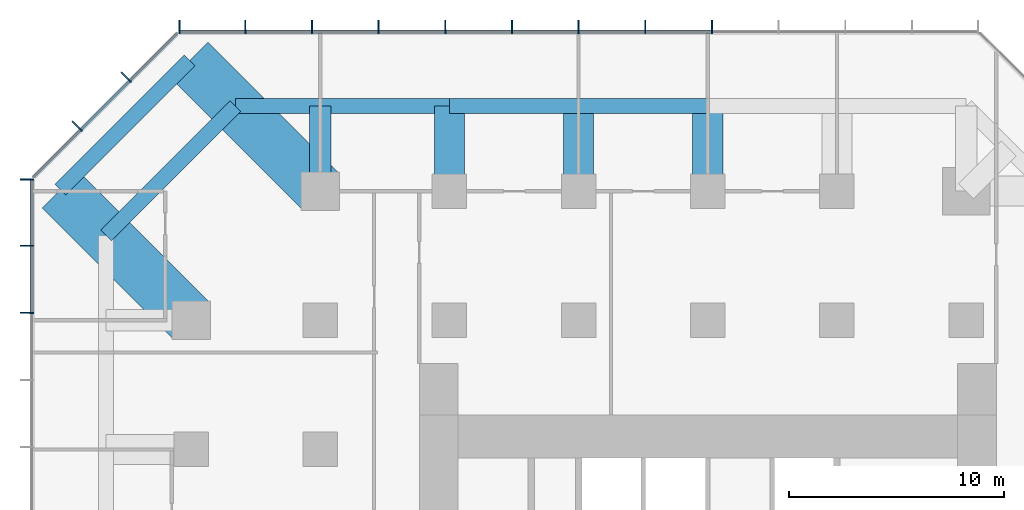
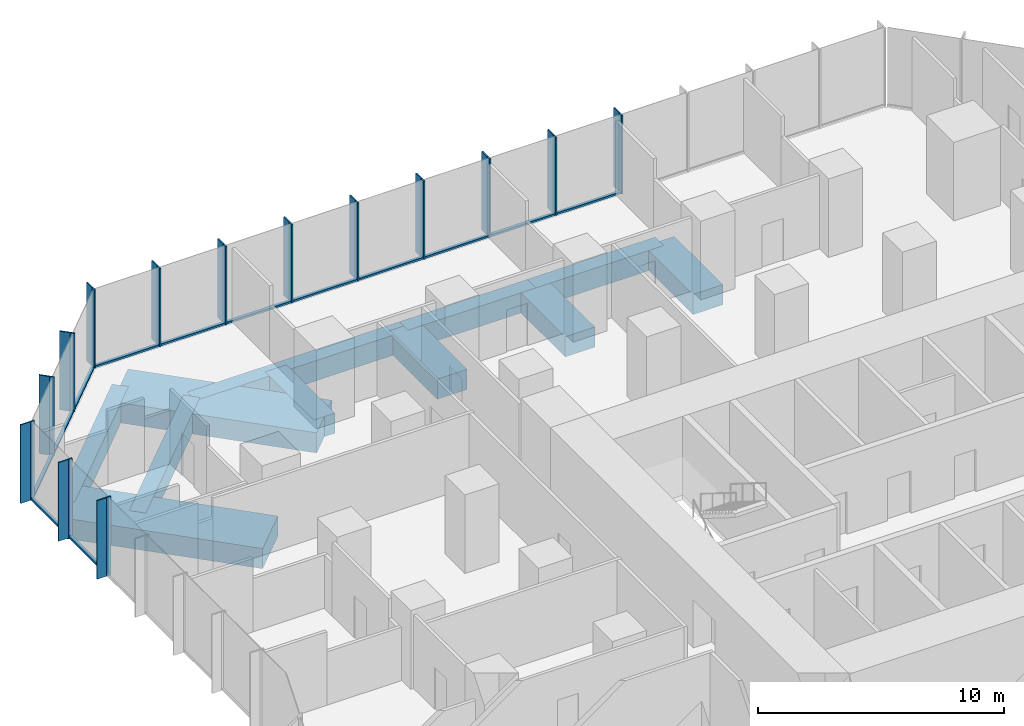
# One storey, part 5 of 11: 41 members, 11 beams, 3 elements without a shape of their own.
"""IFC4 building model written with IfcOpenShell, lengths in metres."""

import ifcopenshell
import ifcopenshell.guid

model = None  # the IFC model being written
_history = None  # IfcOwnerHistory: only IFC2X3 demands one
_inside = {}  # id of a spatial element -> (the spatial element, [elements in it])
_under = {}  # id of a project, library or spatial element -> (it, [spatial elements below it])
_declared = {}  # id of a project -> (the project, [libraries it declares])
_typed = {}  # id of a type object -> (the type object, [elements of that type])
_made_of = {}  # id of a material, layer set ... -> (it, [elements and type objects made of it])


def new_model(schema):
    """Start an empty IFC model of exactly this schema.

    Asked for "IFC4X3", IfcOpenShell would pick the latest addendum, in which some entities
    have other attributes; the version numbers below select the first issue.
    IFC2X3 requires an IfcOwnerHistory on every rooted entity: one is made here for all.
    """
    global model, _history
    if schema == "IFC4X3":
        model = ifcopenshell.file(schema_version=(4, 3, 0, 0))
    else:
        model = ifcopenshell.file(schema=schema)
    _inside.clear()
    _under.clear()
    _declared.clear()
    _typed.clear()
    _made_of.clear()
    _history = None
    if model.schema == "IFC2X3":
        org = make("IfcOrganization", Name="unknown")
        user = make(
            "IfcPersonAndOrganization",
            ThePerson=make("IfcPerson", FamilyName="unknown"),
            TheOrganization=org,
        )
        app = make(
            "IfcApplication",
            ApplicationDeveloper=org,
            Version="unknown",
            ApplicationFullName="unknown",
            ApplicationIdentifier="unknown",
        )
        _history = make(
            "IfcOwnerHistory",
            OwningUser=user,
            OwningApplication=app,
            ChangeAction="ADDED",
            CreationDate=0,
        )
    return model


def make(cls, **values):
    """One entity of the class cls with the attributes given. An attribute that is None is left unset."""
    return model.create_entity(
        cls, **{name: value for name, value in values.items() if value is not None}
    )


def rooted(cls, **values):
    """An entity with a GlobalId (a new one), such as an element, a storey or a relation."""
    return make(cls, GlobalId=ifcopenshell.guid.new(), OwnerHistory=_history, **values)


def si_unit(unit_type, name, prefix=None):
    """IfcSIUnit, for example si_unit("LENGTHUNIT", "METRE", prefix="MILLI")."""
    return make("IfcSIUnit", UnitType=unit_type, Prefix=prefix, Name=name)


def assignment(units):
    """IfcUnitAssignment: the units of a project."""
    return None if units is None else make("IfcUnitAssignment", Units=units)


def point(xyz):
    """IfcCartesianPoint."""
    return None if xyz is None else make("IfcCartesianPoint", Coordinates=xyz)


def direction(xyz):
    """IfcDirection."""
    return None if xyz is None else make("IfcDirection", DirectionRatios=xyz)


def frame(location, z_axis=None, x_axis=None):
    """IfcAxis2Placement3D, a coordinate frame: its origin and axes. An axis left out is left unset."""
    return make(
        "IfcAxis2Placement3D",
        Location=point(location),
        Axis=direction(z_axis),
        RefDirection=direction(x_axis),
    )


def frame_2d(location, x_axis=None):
    """IfcAxis2Placement2D, a coordinate frame in the plane: its origin and x axis."""
    return make(
        "IfcAxis2Placement2D", Location=point(location), RefDirection=direction(x_axis)
    )


def origin():
    """The frame at (0, 0, 0) with its axes left unset."""
    return frame((0.0, 0.0, 0.0))


def origin_2d():
    """The frame at (0, 0) in the plane with its x axis left unset."""
    return frame_2d((0.0, 0.0))


def place(relative_to, where):
    """IfcLocalPlacement: puts the frame where relative to a parent placement (None: the world)."""
    return make(
        "IfcLocalPlacement", PlacementRelTo=relative_to, RelativePlacement=where
    )


def context(
    kind, dimensions, precision=None, world=None, true_north=None, identifier=None
):
    """IfcGeometricRepresentationContext, for example the 3D "Model" context."""
    return make(
        "IfcGeometricRepresentationContext",
        ContextIdentifier=identifier,
        ContextType=kind,
        CoordinateSpaceDimension=dimensions,
        Precision=precision,
        WorldCoordinateSystem=world,
        TrueNorth=true_north,
    )


def subcontext(parent, identifier, kind, view, scale=None):
    """IfcGeometricRepresentationSubContext, for example "Body" below "Model"."""
    return make(
        "IfcGeometricRepresentationSubContext",
        ContextIdentifier=identifier,
        ContextType=kind,
        ParentContext=parent,
        TargetScale=scale,
        TargetView=view,
    )


def project(units=None, contexts=None):
    """IfcProject with its units and contexts."""
    return rooted(
        "IfcProject",
        Name="project",
        RepresentationContexts=contexts,
        UnitsInContext=assignment(units),
    )


def spatial(cls, under=None, at=None, **own):
    """A site, building, storey or space (cls), placed at a placement, below another one or the project."""
    s = rooted(cls, ObjectPlacement=at, **own)
    if under is not None:
        _under.setdefault(under.id(), (under, []))[1].append(s)
    return s


def profile(cls, at=None, kind="AREA", **sizes):
    """A parametric profile (cls). Its sizes go by their IFC names, for example OverallWidth=200.0."""
    return make(cls, ProfileType=kind, Position=at, **sizes)


def rectangle(**sizes):
    """IfcRectangleProfileDef."""
    return profile("IfcRectangleProfileDef", **sizes)


def extrude(swept, where, along, depth):
    """IfcExtrudedAreaSolid: the profile swept, set in the frame where, extruded along a direction by depth."""
    return make(
        "IfcExtrudedAreaSolid",
        SweptArea=swept,
        Position=where,
        ExtrudedDirection=direction(along),
        Depth=depth,
    )


def shape(context_of_items, identifier, shape_type, items):
    """IfcShapeRepresentation: the items that make up one representation, for example the "Body"."""
    return make(
        "IfcShapeRepresentation",
        ContextOfItems=context_of_items,
        RepresentationIdentifier=identifier,
        RepresentationType=shape_type,
        Items=items,
    )


def material(Name=None, Category=None):
    """IfcMaterial."""
    return make("IfcMaterial", Name=Name, Category=Category)


def layer(
    of_material, thickness, ventilated=None, Name=None, Category=None, Priority=None
):
    """IfcMaterialLayer: one layer of a wall or slab, of a material (None: an air gap)."""
    return make(
        "IfcMaterialLayer",
        Material=of_material,
        LayerThickness=thickness,
        IsVentilated=ventilated,
        Name=Name,
        Category=Category,
        Priority=Priority,
    )


def layer_set(layers, Name=None):
    """IfcMaterialLayerSet."""
    return make("IfcMaterialLayerSet", MaterialLayers=layers, LayerSetName=Name)


def material_profile(
    of_material, cross_section, Name=None, Category=None, Priority=None
):
    """IfcMaterialProfile: a cross section and its material."""
    return make(
        "IfcMaterialProfile",
        Name=Name,
        Material=of_material,
        Profile=cross_section,
        Priority=Priority,
        Category=Category,
    )


def profile_set(profiles, Name=None, composite=None):
    """IfcMaterialProfileSet."""
    return make(
        "IfcMaterialProfileSet",
        Name=Name,
        MaterialProfiles=profiles,
        CompositeProfile=composite,
    )


def made_of(thing, what):
    """Note that an element or type object is made of a material, layer set ...; save() writes the relation."""
    if what is not None:
        _made_of.setdefault(what.id(), (what, []))[1].append(thing)
    return thing


def type_object(cls, material=None, **own):
    """A type object (cls), such as IfcWallType, which elements share."""
    return made_of(rooted(cls, **own), material)


def element(
    cls,
    number,
    at=None,
    inside=None,
    cuts=None,
    type_object=None,
    material=None,
    context=None,
    identifier="Body",
    shape_type=None,
    held_by="IfcProductDefinitionShape",
    body=None,
    shapes=None,
    **own,
):
    """One element of the class cls, such as IfcWall. Its Tag is "e" and its number.

    at: its placement. inside: the storey or other place that contains it. cuts: it is an
    opening in that element (IfcRelVoidsElement). A single representation is given by context,
    identifier, shape_type and body (its items); several are given by shapes. held_by: the class
    of the entity that holds the representations. save() writes the other relations.
    """
    e = rooted(cls, Tag="e%d" % number, ObjectPlacement=at, **own)
    if body is not None:
        shapes = [shape(context, identifier, shape_type, body)]
    if shapes is not None:
        e.Representation = make(held_by, Representations=shapes)
    if inside is not None:
        _inside.setdefault(inside.id(), (inside, []))[1].append(e)
    if cuts is not None:
        rooted(
            "IfcRelVoidsElement", RelatingBuildingElement=cuts, RelatedOpeningElement=e
        )
    if type_object is not None:
        _typed.setdefault(type_object.id(), (type_object, []))[1].append(e)
    return made_of(e, material)


def aggregate(whole, parts):
    """IfcRelAggregates: a whole, such as a stair, and the parts it consists of."""
    return rooted("IfcRelAggregates", RelatingObject=whole, RelatedObjects=parts)


def save(model, path):
    """Write the relations noted so far, then the file.

    IfcRelAggregates (storeys below a building ...), IfcRelContainedInSpatialStructure (elements
    in a storey), IfcRelDefinesByType, IfcRelAssociatesMaterial and IfcRelDeclares: one each for
    every whole, place, type object, material and project.
    """
    for whole, parts in _under.values():
        aggregate(whole, parts)
    for where, things in _inside.values():
        rooted(
            "IfcRelContainedInSpatialStructure",
            RelatedElements=things,
            RelatingStructure=where,
        )
    for kind, things in _typed.values():
        rooted("IfcRelDefinesByType", RelatedObjects=things, RelatingType=kind)
    for what, things in _made_of.values():
        rooted("IfcRelAssociatesMaterial", RelatedObjects=things, RelatingMaterial=what)
    for by, libraries in _declared.values():
        rooted("IfcRelDeclares", RelatingContext=by, RelatedDefinitions=libraries)
    model.write(path)


model = new_model("IFC4")

# Units and contexts
model_context = context("Model", 3, precision=1e-05, world=origin(), true_north=direction((0.0, 1.0)))
body_context = subcontext(model_context, "Body", "Model", "MODEL_VIEW")
ifc_project = project(units=[si_unit("LENGTHUNIT", "METRE"), si_unit("AREAUNIT", "SQUARE_METRE"), si_unit("VOLUMEUNIT", "CUBIC_METRE"), si_unit("PLANEANGLEUNIT", "RADIAN"), si_unit("MASSUNIT", "GRAM", prefix="KILO")], contexts=[model_context])

# Site, building, storey
site_placement = place(None, origin())
site = spatial("IfcSite", under=ifc_project, at=site_placement, CompositionType="ELEMENT")
building_placement = place(site_placement, origin())
building = spatial("IfcBuilding", under=site, at=building_placement, Name="Highveld Stack Headquarters", CompositionType="ELEMENT")
storey_placement = place(building_placement, frame((0.0, 0.0, 109.39990234375)))
storey = spatial("IfcBuildingStorey", under=building, at=storey_placement, Name="L26", CompositionType="ELEMENT", Elevation=109.39990234375)

# Beams
ifc_material_1 = material(Name="Concrete C60/75", Category="concrete")
ifc_material_profile_1 = material_profile(ifc_material_1, rectangle(XDim=1.0, YDim=1.0, at=origin_2d()), Name="RC 1000x1000")
ifc_profile_set_1 = profile_set([ifc_material_profile_1], Name="Concrete C60/75")
beam_type_1 = type_object("IfcBeamType", Name="CANTILEVER RIB RC 1000x1000", PredefinedType="USERDEFINED", material=ifc_profile_set_1)
beam_1_placement = place(storey_placement, frame((-12.0, 24.0, -0.75), z_axis=(0.0, 1.0, 0.0), x_axis=(-1.0, 0.0, 0.0)))
element("IfcBeam", 1, at=beam_1_placement, inside=storey, type_object=beam_type_1, Name="Cantilever rib 4/J L26", ObjectType="CANTILEVER RIB", PredefinedType="USERDEFINED", context=body_context, shape_type="SweptSolid", body=[
    extrude(rectangle(XDim=1.0, YDim=1.0, at=origin_2d()), origin(), (0.0, 0.0, 1.0), 3.949951171875),
])
ifc_material_2 = material(Name="Concrete C60/75", Category="concrete")
ifc_material_profile_2 = material_profile(ifc_material_2, rectangle(XDim=1.39990234375, YDim=1.0, at=origin_2d()), Name="RC 1400x1000")
ifc_profile_set_2 = profile_set([ifc_material_profile_2], Name="Concrete C60/75")
beam_type_2 = type_object("IfcBeamType", Name="CANTILEVER RIB RC 1400x1000", PredefinedType="USERDEFINED", material=ifc_profile_set_2)
for number, where, z_axis, x_axis, name in (
    (2, (-6.0, 24.0, -0.75), (0.0, 1.0, 0.0), (-1.0, 0.0, 0.0), "Cantilever rib 5/J L26"),
    (3, (0.0, 24.0, -0.75), (0.0, 1.0, 0.0), (-1.0, 0.0, 0.0), "Cantilever rib 6/J L26"),
    (4, (6.0, 24.0, -0.75), (0.0, 1.0, 0.0), (-1.0, 0.0, 0.0), "Cantilever rib 7/J L26"),
):
    element("IfcBeam", number, at=place(storey_placement, frame(where, z_axis=z_axis, x_axis=x_axis)), inside=storey, type_object=beam_type_2, Name=name, ObjectType="CANTILEVER RIB", PredefinedType="USERDEFINED", context=body_context, shape_type="SweptSolid", body=[
        extrude(rectangle(XDim=1.39990234375, YDim=1.0, at=origin_2d()), origin(), (0.0, 0.0, 1.0), 3.949951171875),
    ])
ifc_material_3 = material(Name="Concrete C60/75", Category="concrete")
ifc_material_profile_3 = material_profile(ifc_material_3, rectangle(XDim=2.39990234375, YDim=1.0, at=origin_2d()), Name="RC 2400x1000")
ifc_profile_set_3 = profile_set([ifc_material_profile_3], Name="Concrete C60/75")
beam_type_3 = type_object("IfcBeamType", Name="CANTILEVER RIB RC 2400x1000", PredefinedType="USERDEFINED", material=ifc_profile_set_3)
for number, where, z_axis, x_axis, name in (
    (5, (-18.0, 18.0, -0.75), (-0.707106781187, 0.707106781187, 0.0), (-0.707106781187, -0.707106781187, 0.0), "Cantilever rib 3/H L26"),
    (6, (-12.0, 24.0, -0.75), (-0.707106781187, 0.707106781187, 0.0), (-0.707106781187, -0.707106781187, 0.0), "Cantilever rib 4/J L26"),
):
    element("IfcBeam", number, at=place(storey_placement, frame(where, z_axis=z_axis, x_axis=x_axis)), inside=storey, type_object=beam_type_3, Name=name, ObjectType="CANTILEVER RIB", PredefinedType="USERDEFINED", context=body_context, shape_type="SweptSolid", body=[
        extrude(rectangle(XDim=2.39990234375, YDim=1.0, at=origin_2d()), origin(), (0.0, 0.0, 1.0), 8.585693359375),
    ])

# Curtain wall, members
ifc_material_4 = material(Name="Aluminium bronze anodised", Category="aluminium")
ifc_layer_1 = layer(ifc_material_4, 0.199951171875)
ifc_layer_set_1 = layer_set([ifc_layer_1], Name="Aluminium bronze anodised")
curtain_wall_type_1 = type_object("IfcCurtainWallType", Name="CW1 TOWER UNITISED CURTAIN WALL", PredefinedType="NOTDEFINED", material=ifc_layer_set_1)
curtain_wall_1_placement = place(storey_placement, origin())
curtain_wall_1 = element("IfcCurtainWall", 7, at=curtain_wall_1_placement, inside=storey, type_object=curtain_wall_type_1, Name="Curtain wall CW1 L26 N", PredefinedType="NOTDEFINED")
ifc_material_5 = material(Name="Aluminium bronze anodised", Category="aluminium")
ifc_material_profile_4 = material_profile(ifc_material_5, rectangle(XDim=0.449951171875, YDim=0.06005859375, at=origin_2d()), Name="FIN 450x60")
ifc_profile_set_4 = profile_set([ifc_material_profile_4], Name="Aluminium bronze anodised")
member_type_1 = type_object("IfcMemberType", Name="CW1 BRONZE FIN 450x60", PredefinedType="USERDEFINED", material=ifc_profile_set_4)
member_1_placement = place(storey_placement, frame((6.193359375, 31.72509765625, 0.0), z_axis=(0.0, 0.0, 1.0), x_axis=(0.0, -1.0, 0.0)))
member_1 = element("IfcMember", 8, at=member_1_placement, type_object=member_type_1, Name="CW1 fin L26 5", ObjectType="FIN", PredefinedType="USERDEFINED", context=body_context, shape_type="SweptSolid", body=[
    extrude(rectangle(XDim=0.449951171875, YDim=0.06005859375, at=origin_2d()), origin(), (0.0, 0.0, 1.0), 3.900146484375),
])
member_2_placement = place(storey_placement, frame((3.0966796875, 31.72509765625, 0.0), z_axis=(0.0, 0.0, 1.0), x_axis=(0.0, -1.0, 0.0)))
member_2 = element("IfcMember", 9, at=member_2_placement, type_object=member_type_1, Name="CW1 fin L26 6", ObjectType="FIN", PredefinedType="USERDEFINED", context=body_context, shape_type="SweptSolid", body=[
    extrude(rectangle(XDim=0.449951171875, YDim=0.06005859375, at=origin_2d()), origin(), (0.0, 0.0, 1.0), 3.900146484375),
])
member_3_placement = place(storey_placement, frame((0.0, 31.72509765625, 0.0), z_axis=(0.0, 0.0, 1.0), x_axis=(0.0, -1.0, 0.0)))
member_3 = element("IfcMember", 10, at=member_3_placement, type_object=member_type_1, Name="CW1 fin L26 7", ObjectType="FIN", PredefinedType="USERDEFINED", context=body_context, shape_type="SweptSolid", body=[
    extrude(rectangle(XDim=0.449951171875, YDim=0.06005859375, at=origin_2d()), origin(), (0.0, 0.0, 1.0), 3.900146484375),
])
member_4_placement = place(storey_placement, frame((-3.0966796875, 31.72509765625, 0.0), z_axis=(0.0, 0.0, 1.0), x_axis=(0.0, -1.0, 0.0)))
member_4 = element("IfcMember", 11, at=member_4_placement, type_object=member_type_1, Name="CW1 fin L26 8", ObjectType="FIN", PredefinedType="USERDEFINED", context=body_context, shape_type="SweptSolid", body=[
    extrude(rectangle(XDim=0.449951171875, YDim=0.06005859375, at=origin_2d()), origin(), (0.0, 0.0, 1.0), 3.900146484375),
])
member_5_placement = place(storey_placement, frame((-6.193359375, 31.72509765625, 0.0), z_axis=(0.0, 0.0, 1.0), x_axis=(0.0, -1.0, 0.0)))
member_5 = element("IfcMember", 12, at=member_5_placement, type_object=member_type_1, Name="CW1 fin L26 9", ObjectType="FIN", PredefinedType="USERDEFINED", context=body_context, shape_type="SweptSolid", body=[
    extrude(rectangle(XDim=0.449951171875, YDim=0.06005859375, at=origin_2d()), origin(), (0.0, 0.0, 1.0), 3.900146484375),
])
member_6_placement = place(storey_placement, frame((-9.2900390625, 31.72509765625, 0.0), z_axis=(0.0, 0.0, 1.0), x_axis=(0.0, -1.0, 0.0)))
member_6 = element("IfcMember", 13, at=member_6_placement, type_object=member_type_1, Name="CW1 fin L26 10", ObjectType="FIN", PredefinedType="USERDEFINED", context=body_context, shape_type="SweptSolid", body=[
    extrude(rectangle(XDim=0.449951171875, YDim=0.06005859375, at=origin_2d()), origin(), (0.0, 0.0, 1.0), 3.900146484375),
])
member_7_placement = place(storey_placement, frame((-12.38671875, 31.72509765625, 0.0), z_axis=(0.0, 0.0, 1.0), x_axis=(0.0, -1.0, 0.0)))
member_7 = element("IfcMember", 14, at=member_7_placement, type_object=member_type_1, Name="CW1 fin L26 11", ObjectType="FIN", PredefinedType="USERDEFINED", context=body_context, shape_type="SweptSolid", body=[
    extrude(rectangle(XDim=0.449951171875, YDim=0.06005859375, at=origin_2d()), origin(), (0.0, 0.0, 1.0), 3.900146484375),
])
member_8_placement = place(storey_placement, frame((-15.4833984375, 31.72509765625, 0.0), z_axis=(0.0, 0.0, 1.0), x_axis=(0.0, -1.0, 0.0)))
member_8 = element("IfcMember", 15, at=member_8_placement, type_object=member_type_1, Name="CW1 fin L26 12", ObjectType="FIN", PredefinedType="USERDEFINED", context=body_context, shape_type="SweptSolid", body=[
    extrude(rectangle(XDim=0.449951171875, YDim=0.06005859375, at=origin_2d()), origin(), (0.0, 0.0, 1.0), 3.900146484375),
])
member_9_placement = place(storey_placement, frame((-18.54736328125, 31.72509765625, 0.0), z_axis=(0.0, 0.0, 1.0), x_axis=(0.0, -1.0, 0.0)))
member_9 = element("IfcMember", 16, at=member_9_placement, type_object=member_type_1, Name="CW1 fin L26 13", ObjectType="FIN", PredefinedType="USERDEFINED", context=body_context, shape_type="SweptSolid", body=[
    extrude(rectangle(XDim=0.449951171875, YDim=0.06005859375, at=origin_2d()), origin(), (0.0, 0.0, 1.0), 3.900146484375),
])

curtain_wall_2_placement = place(storey_placement, origin())
curtain_wall_2 = element("IfcCurtainWall", 17, at=curtain_wall_2_placement, inside=storey, type_object=curtain_wall_type_1, Name="Curtain wall CW1 L26 W", PredefinedType="NOTDEFINED")
member_10_placement = place(storey_placement, frame((-25.72509765625, 24.54736328125, 0.0), z_axis=(0.0, 0.0, 1.0), x_axis=(1.0, 0.0, 0.0)))
member_10 = element("IfcMember", 18, at=member_10_placement, type_object=member_type_1, Name="CW1 fin L26 1", ObjectType="FIN", PredefinedType="USERDEFINED", context=body_context, shape_type="SweptSolid", body=[
    extrude(rectangle(XDim=0.449951171875, YDim=0.06005859375, at=origin_2d()), origin(), (0.0, 0.0, 1.0), 3.900146484375),
])
member_11_placement = place(storey_placement, frame((-25.72509765625, 21.4638671875, 0.0), z_axis=(0.0, 0.0, 1.0), x_axis=(1.0, 0.0, 0.0)))
member_11 = element("IfcMember", 19, at=member_11_placement, type_object=member_type_1, Name="CW1 fin L26 2", ObjectType="FIN", PredefinedType="USERDEFINED", context=body_context, shape_type="SweptSolid", body=[
    extrude(rectangle(XDim=0.449951171875, YDim=0.06005859375, at=origin_2d()), origin(), (0.0, 0.0, 1.0), 3.900146484375),
])
member_12_placement = place(storey_placement, frame((-25.72509765625, 18.347900390625, 0.0), z_axis=(0.0, 0.0, 1.0), x_axis=(1.0, 0.0, 0.0)))
member_12 = element("IfcMember", 20, at=member_12_placement, type_object=member_type_1, Name="CW1 fin L26 3", ObjectType="FIN", PredefinedType="USERDEFINED", context=body_context, shape_type="SweptSolid", body=[
    extrude(rectangle(XDim=0.449951171875, YDim=0.06005859375, at=origin_2d()), origin(), (0.0, 0.0, 1.0), 3.900146484375),
])

# Member
ifc_material_6 = material(Name="Aluminium bronze anodised", Category="aluminium")
ifc_material_profile_5 = material_profile(ifc_material_6, rectangle(XDim=0.199951171875, YDim=0.06494140625, at=origin_2d()), Name="CW1 MULLION 65x200")
ifc_profile_set_5 = profile_set([ifc_material_profile_5], Name="Aluminium bronze anodised")
member_type_2 = type_object("IfcMemberType", Name="CW1 MULLION 65x200", PredefinedType="MULLION", material=ifc_profile_set_5)
member_13_placement = place(storey_placement, frame((6.193359375, 31.39990234375, 0.0), z_axis=(0.0, 0.0, 1.0), x_axis=(0.0, -1.0, 0.0)))
member_13 = element("IfcMember", 21, at=member_13_placement, type_object=member_type_2, Name="CW1 mullion L26 5", PredefinedType="MULLION", context=body_context, shape_type="SweptSolid", body=[
    extrude(rectangle(XDim=0.199951171875, YDim=0.06494140625, at=origin_2d()), origin(), (0.0, 0.0, 1.0), 3.900146484375),
])

member_14_placement = place(storey_placement, frame((3.0966796875, 31.39990234375, 0.0), z_axis=(0.0, 0.0, 1.0), x_axis=(0.0, -1.0, 0.0)))
member_14 = element("IfcMember", 22, at=member_14_placement, type_object=member_type_2, Name="CW1 mullion L26 6", PredefinedType="MULLION", context=body_context, shape_type="SweptSolid", body=[
    extrude(rectangle(XDim=0.199951171875, YDim=0.06494140625, at=origin_2d()), origin(), (0.0, 0.0, 1.0), 3.900146484375),
])

member_15_placement = place(storey_placement, frame((0.0, 31.39990234375, 0.0), z_axis=(0.0, 0.0, 1.0), x_axis=(0.0, -1.0, 0.0)))
member_15 = element("IfcMember", 23, at=member_15_placement, type_object=member_type_2, Name="CW1 mullion L26 7", PredefinedType="MULLION", context=body_context, shape_type="SweptSolid", body=[
    extrude(rectangle(XDim=0.199951171875, YDim=0.06494140625, at=origin_2d()), origin(), (0.0, 0.0, 1.0), 3.900146484375),
])

member_16_placement = place(storey_placement, frame((-3.0966796875, 31.39990234375, 0.0), z_axis=(0.0, 0.0, 1.0), x_axis=(0.0, -1.0, 0.0)))
member_16 = element("IfcMember", 24, at=member_16_placement, type_object=member_type_2, Name="CW1 mullion L26 8", PredefinedType="MULLION", context=body_context, shape_type="SweptSolid", body=[
    extrude(rectangle(XDim=0.199951171875, YDim=0.06494140625, at=origin_2d()), origin(), (0.0, 0.0, 1.0), 3.900146484375),
])

member_17_placement = place(storey_placement, frame((-6.193359375, 31.39990234375, 0.0), z_axis=(0.0, 0.0, 1.0), x_axis=(0.0, -1.0, 0.0)))
member_17 = element("IfcMember", 25, at=member_17_placement, type_object=member_type_2, Name="CW1 mullion L26 9", PredefinedType="MULLION", context=body_context, shape_type="SweptSolid", body=[
    extrude(rectangle(XDim=0.199951171875, YDim=0.06494140625, at=origin_2d()), origin(), (0.0, 0.0, 1.0), 3.900146484375),
])

member_18_placement = place(storey_placement, frame((-9.2900390625, 31.39990234375, 0.0), z_axis=(0.0, 0.0, 1.0), x_axis=(0.0, -1.0, 0.0)))
member_18 = element("IfcMember", 26, at=member_18_placement, type_object=member_type_2, Name="CW1 mullion L26 10", PredefinedType="MULLION", context=body_context, shape_type="SweptSolid", body=[
    extrude(rectangle(XDim=0.199951171875, YDim=0.06494140625, at=origin_2d()), origin(), (0.0, 0.0, 1.0), 3.900146484375),
])

member_19_placement = place(storey_placement, frame((-12.38671875, 31.39990234375, 0.0), z_axis=(0.0, 0.0, 1.0), x_axis=(0.0, -1.0, 0.0)))
member_19 = element("IfcMember", 27, at=member_19_placement, type_object=member_type_2, Name="CW1 mullion L26 11", PredefinedType="MULLION", context=body_context, shape_type="SweptSolid", body=[
    extrude(rectangle(XDim=0.199951171875, YDim=0.06494140625, at=origin_2d()), origin(), (0.0, 0.0, 1.0), 3.900146484375),
])

member_20_placement = place(storey_placement, frame((-15.4833984375, 31.39990234375, 0.0), z_axis=(0.0, 0.0, 1.0), x_axis=(0.0, -1.0, 0.0)))
member_20 = element("IfcMember", 28, at=member_20_placement, type_object=member_type_2, Name="CW1 mullion L26 12", PredefinedType="MULLION", context=body_context, shape_type="SweptSolid", body=[
    extrude(rectangle(XDim=0.199951171875, YDim=0.06494140625, at=origin_2d()), origin(), (0.0, 0.0, 1.0), 3.900146484375),
])

member_21_placement = place(storey_placement, frame((-18.54736328125, 31.39990234375, 0.0), z_axis=(0.0, 0.0, 1.0), x_axis=(0.0, -1.0, 0.0)))
member_21 = element("IfcMember", 29, at=member_21_placement, type_object=member_type_2, Name="CW1 mullion L26 13", PredefinedType="MULLION", context=body_context, shape_type="SweptSolid", body=[
    extrude(rectangle(XDim=0.199951171875, YDim=0.06494140625, at=origin_2d()), origin(), (0.0, 0.0, 1.0), 3.900146484375),
])

member_22_placement = place(storey_placement, frame((-25.39990234375, 24.54736328125, 0.0), z_axis=(0.0, 0.0, 1.0), x_axis=(1.0, 0.0, 0.0)))
member_22 = element("IfcMember", 30, at=member_22_placement, type_object=member_type_2, Name="CW1 mullion L26 1", PredefinedType="MULLION", context=body_context, shape_type="SweptSolid", body=[
    extrude(rectangle(XDim=0.199951171875, YDim=0.06494140625, at=origin_2d()), origin(), (0.0, 0.0, 1.0), 3.900146484375),
])

member_23_placement = place(storey_placement, frame((-25.39990234375, 21.4638671875, 0.0), z_axis=(0.0, 0.0, 1.0), x_axis=(1.0, 0.0, 0.0)))
member_23 = element("IfcMember", 31, at=member_23_placement, type_object=member_type_2, Name="CW1 mullion L26 2", PredefinedType="MULLION", context=body_context, shape_type="SweptSolid", body=[
    extrude(rectangle(XDim=0.199951171875, YDim=0.06494140625, at=origin_2d()), origin(), (0.0, 0.0, 1.0), 3.900146484375),
])

member_24_placement = place(storey_placement, frame((-25.39990234375, 18.347900390625, 0.0), z_axis=(0.0, 0.0, 1.0), x_axis=(1.0, 0.0, 0.0)))
member_24 = element("IfcMember", 32, at=member_24_placement, type_object=member_type_2, Name="CW1 mullion L26 3", PredefinedType="MULLION", context=body_context, shape_type="SweptSolid", body=[
    extrude(rectangle(XDim=0.199951171875, YDim=0.06494140625, at=origin_2d()), origin(), (0.0, 0.0, 1.0), 3.900146484375),
])

ifc_material_7 = material(Name="Aluminium bronze anodised", Category="aluminium")
ifc_material_profile_6 = material_profile(ifc_material_7, rectangle(XDim=0.14990234375, YDim=0.10009765625, at=origin_2d()), Name="CW1 TRANSOM 150x100")
ifc_profile_set_6 = profile_set([ifc_material_profile_6], Name="Aluminium bronze anodised")
member_type_3 = type_object("IfcMemberType", Name="CW1 STACK TRANSOM 150x100", PredefinedType="USERDEFINED", material=ifc_profile_set_6)
member_25_placement = place(storey_placement, frame((6.160888671875, 31.39990234375, 0.050048828125), z_axis=(-1.0, 0.0, 0.0), x_axis=(0.0, -1.0, 0.0)))
member_25 = element("IfcMember", 33, at=member_25_placement, type_object=member_type_3, Name="CW1 transom L26 5.1", ObjectType="TRANSOM", PredefinedType="USERDEFINED", context=body_context, shape_type="SweptSolid", body=[
    extrude(rectangle(XDim=0.14990234375, YDim=0.10009765625, at=origin_2d()), origin(), (0.0, 0.0, 1.0), 3.03173828125),
])

member_26_placement = place(storey_placement, frame((3.064208984375, 31.39990234375, 0.050048828125), z_axis=(-1.0, 0.0, 0.0), x_axis=(0.0, -1.0, 0.0)))
member_26 = element("IfcMember", 34, at=member_26_placement, type_object=member_type_3, Name="CW1 transom L26 6.1", ObjectType="TRANSOM", PredefinedType="USERDEFINED", context=body_context, shape_type="SweptSolid", body=[
    extrude(rectangle(XDim=0.14990234375, YDim=0.10009765625, at=origin_2d()), origin(), (0.0, 0.0, 1.0), 3.03173828125),
])

member_27_placement = place(storey_placement, frame((-0.032470703125, 31.39990234375, 0.050048828125), z_axis=(-1.0, 0.0, 0.0), x_axis=(0.0, -1.0, 0.0)))
member_27 = element("IfcMember", 35, at=member_27_placement, type_object=member_type_3, Name="CW1 transom L26 7.1", ObjectType="TRANSOM", PredefinedType="USERDEFINED", context=body_context, shape_type="SweptSolid", body=[
    extrude(rectangle(XDim=0.14990234375, YDim=0.10009765625, at=origin_2d()), origin(), (0.0, 0.0, 1.0), 3.03173828125),
])

member_28_placement = place(storey_placement, frame((-3.129150390625, 31.39990234375, 0.050048828125), z_axis=(-1.0, 0.0, 0.0), x_axis=(0.0, -1.0, 0.0)))
member_28 = element("IfcMember", 36, at=member_28_placement, type_object=member_type_3, Name="CW1 transom L26 8.1", ObjectType="TRANSOM", PredefinedType="USERDEFINED", context=body_context, shape_type="SweptSolid", body=[
    extrude(rectangle(XDim=0.14990234375, YDim=0.10009765625, at=origin_2d()), origin(), (0.0, 0.0, 1.0), 3.03173828125),
])

member_29_placement = place(storey_placement, frame((-6.225830078125, 31.39990234375, 0.050048828125), z_axis=(-1.0, 0.0, 0.0), x_axis=(0.0, -1.0, 0.0)))
member_29 = element("IfcMember", 37, at=member_29_placement, type_object=member_type_3, Name="CW1 transom L26 9.1", ObjectType="TRANSOM", PredefinedType="USERDEFINED", context=body_context, shape_type="SweptSolid", body=[
    extrude(rectangle(XDim=0.14990234375, YDim=0.10009765625, at=origin_2d()), origin(), (0.0, 0.0, 1.0), 3.03173828125),
])

member_30_placement = place(storey_placement, frame((-9.322509765625, 31.39990234375, 0.050048828125), z_axis=(-1.0, 0.0, 0.0), x_axis=(0.0, -1.0, 0.0)))
member_30 = element("IfcMember", 38, at=member_30_placement, type_object=member_type_3, Name="CW1 transom L26 10.1", ObjectType="TRANSOM", PredefinedType="USERDEFINED", context=body_context, shape_type="SweptSolid", body=[
    extrude(rectangle(XDim=0.14990234375, YDim=0.10009765625, at=origin_2d()), origin(), (0.0, 0.0, 1.0), 3.031494140625),
])

member_31_placement = place(storey_placement, frame((-12.419189453125, 31.39990234375, 0.050048828125), z_axis=(-1.0, 0.0, 0.0), x_axis=(0.0, -1.0, 0.0)))
member_31 = element("IfcMember", 39, at=member_31_placement, type_object=member_type_3, Name="CW1 transom L26 11.1", ObjectType="TRANSOM", PredefinedType="USERDEFINED", context=body_context, shape_type="SweptSolid", body=[
    extrude(rectangle(XDim=0.14990234375, YDim=0.10009765625, at=origin_2d()), origin(), (0.0, 0.0, 1.0), 3.031494140625),
])

member_32_placement = place(storey_placement, frame((-15.515869140625, 31.39990234375, 0.050048828125), z_axis=(-1.0, 0.0, 0.0), x_axis=(0.0, -1.0, 0.0)))
member_32 = element("IfcMember", 40, at=member_32_placement, type_object=member_type_3, Name="CW1 transom L26 12.1", ObjectType="TRANSOM", PredefinedType="USERDEFINED", context=body_context, shape_type="SweptSolid", body=[
    extrude(rectangle(XDim=0.14990234375, YDim=0.10009765625, at=origin_2d()), origin(), (0.0, 0.0, 1.0), 2.9990234375),
])

aggregate(curtain_wall_1, [member_13, member_1, member_14, member_2, member_15, member_3, member_16, member_4, member_17, member_5, member_18, member_6, member_19, member_7, member_20, member_8, member_21, member_9, member_25, member_26, member_27, member_28, member_29, member_30, member_31, member_32])

member_33_placement = place(storey_placement, frame((-25.39990234375, 24.514892578125, 0.050048828125), z_axis=(0.0, -1.0, 0.0), x_axis=(1.0, 0.0, 0.0)))
member_33 = element("IfcMember", 41, at=member_33_placement, type_object=member_type_3, Name="CW1 transom L26 1.1", ObjectType="TRANSOM", PredefinedType="USERDEFINED", context=body_context, shape_type="SweptSolid", body=[
    extrude(rectangle(XDim=0.14990234375, YDim=0.10009765625, at=origin_2d()), origin(), (0.0, 0.0, 1.0), 3.0185546875),
])

member_34_placement = place(storey_placement, frame((-25.39990234375, 21.431396484375, 0.050048828125), z_axis=(0.0, -1.0, 0.0), x_axis=(1.0, 0.0, 0.0)))
member_34 = element("IfcMember", 42, at=member_34_placement, type_object=member_type_3, Name="CW1 transom L26 2.1", ObjectType="TRANSOM", PredefinedType="USERDEFINED", context=body_context, shape_type="SweptSolid", body=[
    extrude(rectangle(XDim=0.14990234375, YDim=0.10009765625, at=origin_2d()), origin(), (0.0, 0.0, 1.0), 3.051025390625),
])

aggregate(curtain_wall_2, [member_22, member_10, member_23, member_11, member_24, member_12, member_33, member_34])

# Curtain wall, members
ifc_material_8 = material(Name="Aluminium bronze anodised", Category="aluminium")
ifc_layer_2 = layer(ifc_material_8, 0.199951171875)
ifc_layer_set_2 = layer_set([ifc_layer_2], Name="Aluminium bronze anodised")
curtain_wall_type_2 = type_object("IfcCurtainWallType", Name="CW2 TOWER CHAMFER UNITISED CURTAIN WALL", PredefinedType="NOTDEFINED", material=ifc_layer_set_2)
curtain_wall_3_placement = place(storey_placement, origin())
curtain_wall_3 = element("IfcCurtainWall", 43, at=curtain_wall_3_placement, inside=storey, type_object=curtain_wall_type_2, Name="Curtain wall CW2 L26 NW", PredefinedType="NOTDEFINED")
ifc_material_9 = material(Name="Aluminium bronze anodised", Category="aluminium")
ifc_material_profile_7 = material_profile(ifc_material_9, rectangle(XDim=0.449951171875, YDim=0.06005859375, at=origin_2d()), Name="FIN 450x60")
ifc_profile_set_7 = profile_set([ifc_material_profile_7], Name="Aluminium bronze anodised")
member_type_4 = type_object("IfcMemberType", Name="CW2 BRONZE FIN 450x60", PredefinedType="USERDEFINED", material=ifc_profile_set_7)
member_35_placement = place(storey_placement, frame((-21.0830078125, 29.3564453125, 0.0), z_axis=(0.0, 0.0, 1.0), x_axis=(0.707106781187, -0.707106781187, 0.0)))
member_35 = element("IfcMember", 44, at=member_35_placement, type_object=member_type_4, Name="CW2 fin L26 1", ObjectType="FIN", PredefinedType="USERDEFINED", context=body_context, shape_type="SweptSolid", body=[
    extrude(rectangle(XDim=0.449951171875, YDim=0.06005859375, at=origin_2d()), origin(), (0.0, 0.0, 1.0), 3.900146484375),
])
member_36_placement = place(storey_placement, frame((-23.3564453125, 27.0830078125, 0.0), z_axis=(0.0, 0.0, 1.0), x_axis=(0.707106781187, -0.707106781187, 0.0)))
member_36 = element("IfcMember", 45, at=member_36_placement, type_object=member_type_4, Name="CW2 fin L26 2", ObjectType="FIN", PredefinedType="USERDEFINED", context=body_context, shape_type="SweptSolid", body=[
    extrude(rectangle(XDim=0.449951171875, YDim=0.06005859375, at=origin_2d()), origin(), (0.0, 0.0, 1.0), 3.900146484375),
])
ifc_material_10 = material(Name="Aluminium bronze anodised", Category="aluminium")
ifc_material_profile_8 = material_profile(ifc_material_10, rectangle(XDim=0.199951171875, YDim=0.06494140625, at=origin_2d()), Name="CW2 MULLION 65x200")
ifc_profile_set_8 = profile_set([ifc_material_profile_8], Name="Aluminium bronze anodised")
member_type_5 = type_object("IfcMemberType", Name="CW2 MULLION 65x200", PredefinedType="MULLION", material=ifc_profile_set_8)
member_37_placement = place(storey_placement, frame((-20.853271484375, 29.126708984375, 0.0), z_axis=(0.0, 0.0, 1.0), x_axis=(0.707106781187, -0.707106781187, 0.0)))
member_37 = element("IfcMember", 46, at=member_37_placement, type_object=member_type_5, Name="CW2 mullion L26 1", PredefinedType="MULLION", context=body_context, shape_type="SweptSolid", body=[
    extrude(rectangle(XDim=0.199951171875, YDim=0.06494140625, at=origin_2d()), origin(), (0.0, 0.0, 1.0), 3.900146484375),
])
member_38_placement = place(storey_placement, frame((-23.126708984375, 26.853271484375, 0.0), z_axis=(0.0, 0.0, 1.0), x_axis=(0.707106781187, -0.707106781187, 0.0)))
member_38 = element("IfcMember", 47, at=member_38_placement, type_object=member_type_5, Name="CW2 mullion L26 2", PredefinedType="MULLION", context=body_context, shape_type="SweptSolid", body=[
    extrude(rectangle(XDim=0.199951171875, YDim=0.06494140625, at=origin_2d()), origin(), (0.0, 0.0, 1.0), 3.900146484375),
])
ifc_material_11 = material(Name="Aluminium bronze anodised", Category="aluminium")
ifc_material_profile_9 = material_profile(ifc_material_11, rectangle(XDim=0.14990234375, YDim=0.10009765625, at=origin_2d()), Name="CW2 TRANSOM 150x100")
ifc_profile_set_9 = profile_set([ifc_material_profile_9], Name="Aluminium bronze anodised")
member_type_6 = type_object("IfcMemberType", Name="CW2 STACK TRANSOM 150x100", PredefinedType="USERDEFINED", material=ifc_profile_set_9)
member_39_placement = place(storey_placement, frame((-18.650634765625, 31.329345703125, 0.050048828125), z_axis=(-0.707106781187, -0.707106781187, 0.0), x_axis=(0.707106781187, -0.707106781187, 0.0)))
member_39 = element("IfcMember", 48, at=member_39_placement, type_object=member_type_6, Name="CW2 transom L26 1.1", ObjectType="TRANSOM", PredefinedType="USERDEFINED", context=body_context, shape_type="SweptSolid", body=[
    extrude(rectangle(XDim=0.14990234375, YDim=0.10009765625, at=origin_2d()), origin(), (0.0, 0.0, 1.0), 3.08251953125),
])
member_40_placement = place(storey_placement, frame((-20.876220703125, 29.103759765625, 0.050048828125), z_axis=(-0.707106781187, -0.707106781187, 0.0), x_axis=(0.707106781187, -0.707106781187, 0.0)))
member_40 = element("IfcMember", 49, at=member_40_placement, type_object=member_type_6, Name="CW2 transom L26 2.1", ObjectType="TRANSOM", PredefinedType="USERDEFINED", context=body_context, shape_type="SweptSolid", body=[
    extrude(rectangle(XDim=0.14990234375, YDim=0.10009765625, at=origin_2d()), origin(), (0.0, 0.0, 1.0), 3.150146484375),
])
member_41_placement = place(storey_placement, frame((-23.149658203125, 26.830322265625, 0.050048828125), z_axis=(-0.707106781187, -0.707106781187, 0.0), x_axis=(0.707106781187, -0.707106781187, 0.0)))
member_41 = element("IfcMember", 50, at=member_41_placement, type_object=member_type_6, Name="CW2 transom L26 3.1", ObjectType="TRANSOM", PredefinedType="USERDEFINED", context=body_context, shape_type="SweptSolid", body=[
    extrude(rectangle(XDim=0.14990234375, YDim=0.10009765625, at=origin_2d()), origin(), (0.0, 0.0, 1.0), 3.08251953125),
])
aggregate(curtain_wall_3, [member_37, member_35, member_38, member_36, member_39, member_40, member_41])

# Beams
ifc_material_12 = material(Name="Concrete C60/75", Category="concrete")
ifc_material_profile_10 = material_profile(ifc_material_12, rectangle(XDim=0.699951171875, YDim=1.0, at=origin_2d()), Name="RC 700x1000")
ifc_profile_set_10 = profile_set([ifc_material_profile_10], Name="Concrete C60/75")
beam_type_4 = type_object("IfcBeamType", Name="RIB TIP BEAM RC 700x1000", PredefinedType="SPANDREL", material=ifc_profile_set_10)
beam_2_placement = place(storey_placement, frame((-15.949951171875, 27.949951171875, -0.75), z_axis=(1.0, 0.0, 0.0), x_axis=(0.0, 1.0, 0.0)))
element("IfcBeam", 51, at=beam_2_placement, inside=storey, type_object=beam_type_4, Name="Rib tip beam 4/J to 5/J L26", PredefinedType="SPANDREL", context=body_context, shape_type="SweptSolid", body=[
    extrude(rectangle(XDim=0.699951171875, YDim=1.0, at=origin_2d()), origin(), (0.0, 0.0, 1.0), 9.949951171875),
])
for number, where, z_axis, x_axis, name in (
    (52, (-6.0, 27.949951171875, -0.75), (1.0, 0.0, 0.0), (0.0, 1.0, 0.0), "Rib tip beam 5/J to 6/J L26"),
    (53, (0.0, 27.949951171875, -0.75), (1.0, 0.0, 0.0), (0.0, 1.0, 0.0), "Rib tip beam 6/J to 7/J L26"),
):
    element("IfcBeam", number, at=place(storey_placement, frame(where, z_axis=z_axis, x_axis=x_axis)), inside=storey, type_object=beam_type_4, Name=name, PredefinedType="SPANDREL", context=body_context, shape_type="SweptSolid", body=[
        extrude(rectangle(XDim=0.699951171875, YDim=1.0, at=origin_2d()), origin(), (0.0, 0.0, 1.0), 6.0),
    ])
for number, where, z_axis, x_axis, name in (
    (54, (-21.949951171875, 21.949951171875, -0.75), (0.707106781187, 0.707106781187, 0.0), (-0.707106781187, 0.707106781187, 0.0), "Rib tip beam 3/H to 4/J chamfer L26"),
    (55, (-24.071044921875, 24.071044921875, -0.75), (0.707106781187, 0.707106781187, 0.0), (-0.707106781187, 0.707106781187, 0.0), "Rib tip beam 3/H to 4/J chamfer edge L26"),
):
    element("IfcBeam", number, at=place(storey_placement, frame(where, z_axis=z_axis, x_axis=x_axis)), inside=storey, type_object=beam_type_4, Name=name, PredefinedType="SPANDREL", context=body_context, shape_type="SweptSolid", body=[
        extrude(rectangle(XDim=0.699951171875, YDim=1.0, at=origin_2d()), origin(), (0.0, 0.0, 1.0), 8.4853515625),
    ])

save(model, "model.ifc")
